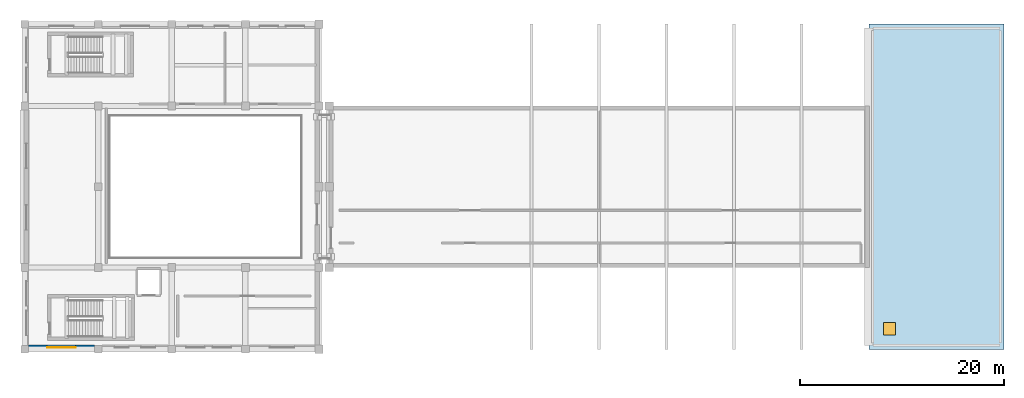
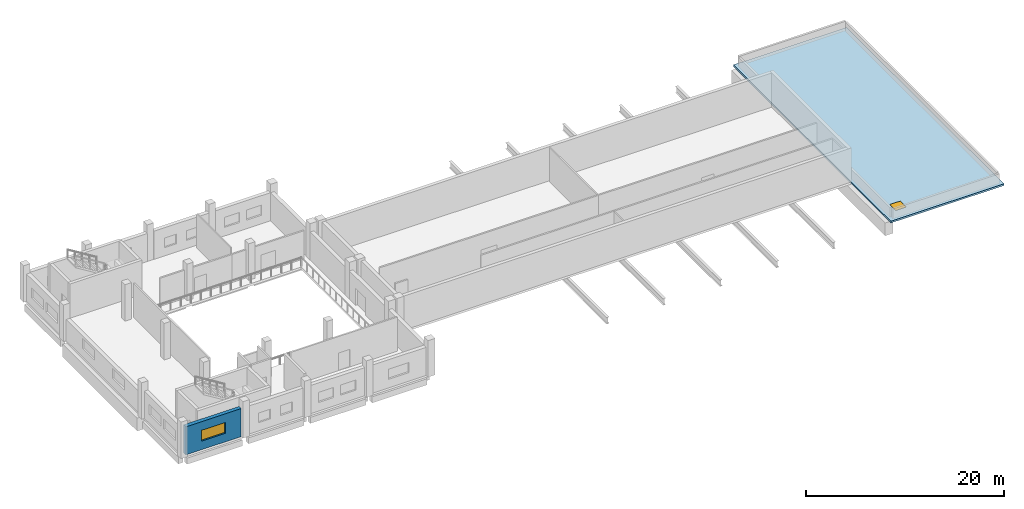
# One storey, part 2 of 7: 2 windows, 1 slab, 1 wall, 2 openings.
"""IFC4 building model written with IfcOpenShell, lengths in metres."""

from ifc_helpers import new_model, si_unit, direction, frame, frame_2d, origin, origin_2d, place, context, subcontext, project, spatial, polyline, rectangle, outline, extrude, material, layer, layer_set, type_object, element, fill, save


model = new_model("IFC4")

# Units and contexts
model_context = context("Model", 3, precision=1e-05, world=origin(), true_north=direction((0.0, 1.0)))
body_context = subcontext(model_context, "Body", "Model", "MODEL_VIEW")
ifc_project = project(units=[si_unit("LENGTHUNIT", "METRE"), si_unit("AREAUNIT", "SQUARE_METRE"), si_unit("VOLUMEUNIT", "CUBIC_METRE"), si_unit("PLANEANGLEUNIT", "RADIAN"), si_unit("MASSUNIT", "GRAM", prefix="KILO")], contexts=[model_context])

# Site, building, storey
site_placement = place(None, origin())
site = spatial("IfcSite", under=ifc_project, at=site_placement, CompositionType="ELEMENT")
building_placement = place(site_placement, origin())
building = spatial("IfcBuilding", under=site, at=building_placement, Name="Kelarvand Opera House", CompositionType="ELEMENT")
storey_placement = place(building_placement, frame((0.0, 0.0, 24.0)))
storey = spatial("IfcBuildingStorey", under=building, at=storey_placement, Name="L05", CompositionType="ELEMENT", Elevation=24.0)

# Slab, opening, window
ifc_material_1 = material(Name="Concrete C35/45", Category="concrete")
ifc_layer_1 = layer(ifc_material_1, 0.219970703125, Name="Concrete C35/45", Category="concrete")
ifc_layer_set_1 = layer_set([ifc_layer_1], Name="Concrete C35/45")
slab_type = type_object("IfcSlabType", Name="Flat Structural Roof Slab 220", PredefinedType="ROOF", material=ifc_layer_set_1)
slab_placement = place(storey_placement, frame((0.0, 0.0, -0.219970703125)))
slab = element("IfcSlab", 1, at=slab_placement, inside=storey, type_object=slab_type, Name="V1 Flat Roof Slab L05 1", PredefinedType="ROOF", context=body_context, shape_type="SweptSolid", body=[
    extrude(outline(polyline([(141.800048828125, 46.60009765625), (155.0, 46.60009765625), (155.0, 78.39990234375), (141.800048828125, 78.39990234375), (141.800048828125, 46.60009765625)])), origin(), (0.0, 0.0, 1.0), 0.219970703125),
])
opening_1_placement = place(slab_placement, frame((143.800048828125, 48.60009765625, 0.0)))
opening_1 = element("IfcOpeningElement", 2, at=opening_1_placement, cuts=slab, Name="Opening RH-01", PredefinedType="OPENING", context=body_context, shape_type="SweptSolid", body=[
    extrude(rectangle(XDim=1.199951171875, YDim=1.199951171875, at=origin_2d()), frame((0.0, 0.0, -0.010009765625)), (0.0, 0.0, 1.0), 0.239990234375),
])
ifc_material_2 = material(Name="Insulated aluminium roof access hatch", Category="aluminium")
window_type_1 = type_object("IfcWindowType", Name="Insulated Flat-Roof Maintenance Access Hatch 1200x1200", PartitioningType="SINGLE_PANEL", PredefinedType="SKYLIGHT", material=ifc_material_2)
window_1_placement = place(opening_1_placement, frame((0.0, 0.0, 0.169921875)))
window_1 = element("IfcWindow", 3, at=window_1_placement, inside=storey, type_object=window_type_1, Name="V1 Maintenance Roof Hatch 1", OverallHeight=1.199951171875, OverallWidth=1.199951171875, PartitioningType="SINGLE_PANEL", PredefinedType="SKYLIGHT", context=body_context, shape_type="SweptSolid", body=[
    extrude(rectangle(XDim=1.199951171875, YDim=1.199951171875, at=origin_2d()), origin(), (0.0, 0.0, 1.0), 0.050048828125),
])
fill(opening_1, window_1)

# Wall, opening, window
ifc_layer_2 = layer(ifc_material_1, 0.43994140625, Name="Concrete C35/45", Category="concrete")
ifc_layer_set_2 = layer_set([ifc_layer_2], Name="Concrete C35/45")
wall_type = type_object("IfcWallType", Name="Stage House Acoustic Cavity Wall 440", PredefinedType="SOLIDWALL", material=ifc_layer_set_2)
wall_placement = place(storey_placement, frame((66.02490234375, 46.780029296875, 0.0), z_axis=(0.0, 0.0, 1.0), x_axis=(-1.0, 0.0, 0.0)))
wall = element("IfcWall", 4, at=wall_placement, inside=storey, type_object=wall_type, Name="V2 L05 Exterior Wall EW-440 (331)", PredefinedType="SOLIDWALL", context=body_context, shape_type="SweptSolid", body=[
    extrude(rectangle(XDim=6.449951171875, YDim=0.43994140625, at=frame_2d((3.22509765625, 0.0))), origin(), (0.0, 0.0, 1.0), 3.4619140625),
])
opening_2_placement = place(wall_placement, frame((1.824951171875, 0.0, 1.050048828125)))
opening_2 = element("IfcOpeningElement", 5, at=opening_2_placement, cuts=wall, Name="Opening WN-21", PredefinedType="OPENING", context=body_context, shape_type="SweptSolid", body=[
    extrude(rectangle(XDim=2.800048828125, YDim=1.35009765625, at=frame_2d((1.39990234375, 0.675048828125))), frame((0.0, 0.22998046875, 0.0), z_axis=(0.0, -1.0, 0.0), x_axis=(1.0, 0.0, 0.0)), (0.0, 0.0, 1.0), 0.4599609375),
])
ifc_material_3 = material(Name="Thermally broken aluminium and low-E double glazing", Category="aluminium")
window_type_2 = type_object("IfcWindowType", Name="Recessed Aluminium Thermal Window 2800x1350 WN-21", PartitioningType="SINGLE_PANEL", PredefinedType="WINDOW", material=ifc_material_3)
window_2_placement = place(opening_2_placement, origin())
window_2 = element("IfcWindow", 6, at=window_2_placement, inside=storey, type_object=window_type_2, Name="V2 L05 Facade Window WN-21 (121)", OverallHeight=1.35009765625, OverallWidth=2.800048828125, PartitioningType="SINGLE_PANEL", PredefinedType="WINDOW", context=body_context, shape_type="SweptSolid", body=[
    extrude(rectangle(XDim=2.800048828125, YDim=1.35009765625, at=frame_2d((1.39990234375, 0.675048828125))), frame((0.0, 0.030029296875, 0.0), z_axis=(0.0, -1.0, 0.0), x_axis=(1.0, 0.0, 0.0)), (0.0, 0.0, 1.0), 0.06005859375),
])
fill(opening_2, window_2)

save(model, "model.ifc")
